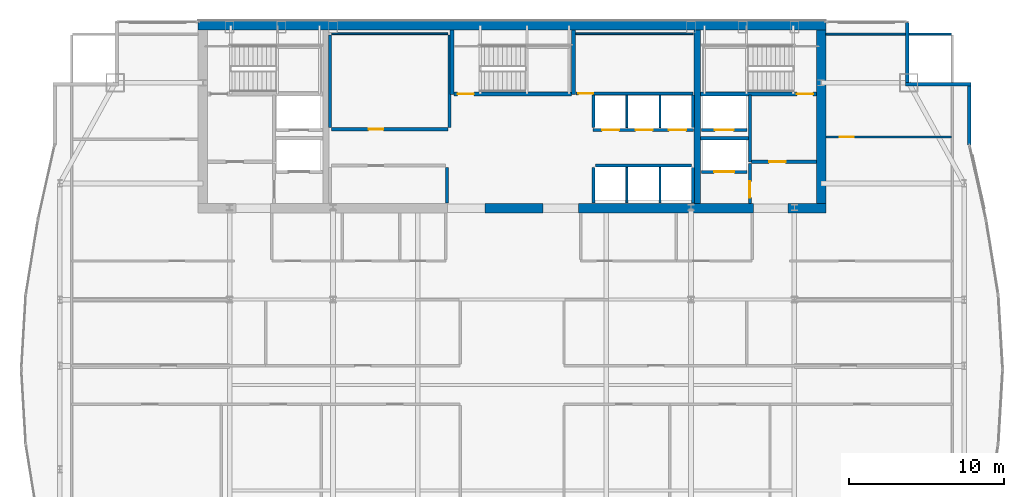
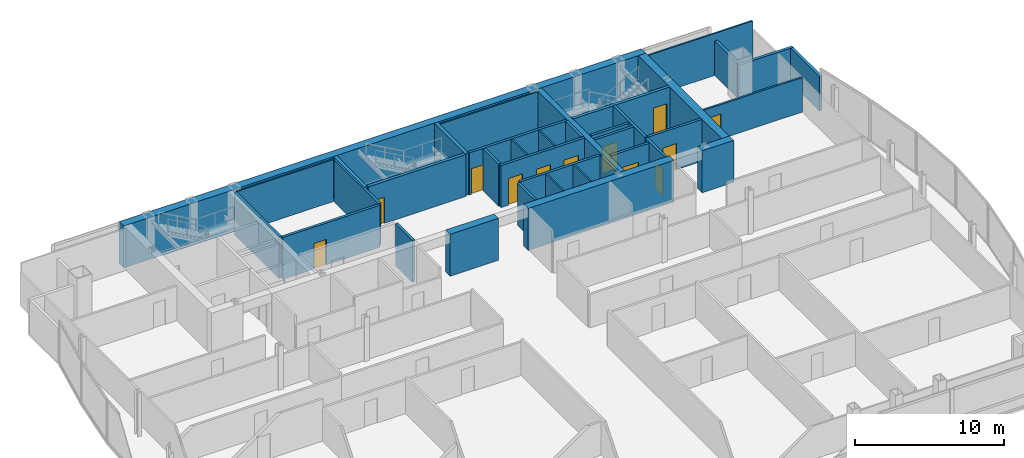
# One storey, part 27 of 30: 38 walls, 12 doors, 12 openings.
"""IFC4 building model written with IfcOpenShell, lengths in metres."""

from ifc_helpers import new_model, si_unit, direction, frame, frame_2d, origin, place, context, subcontext, project, spatial, rectangle, extrude, material, layer, layer_set, type_object, element, fill, save


model = new_model("IFC4")

# Units and contexts
model_context = context("Model", 3, precision=1e-05, world=origin(), true_north=direction((0.0, 1.0)))
body_context = subcontext(model_context, "Body", "Model", "MODEL_VIEW")
ifc_project = project(units=[si_unit("LENGTHUNIT", "METRE"), si_unit("AREAUNIT", "SQUARE_METRE"), si_unit("VOLUMEUNIT", "CUBIC_METRE"), si_unit("PLANEANGLEUNIT", "RADIAN"), si_unit("MASSUNIT", "GRAM", prefix="KILO")], contexts=[model_context])

# Site, building, storey
site_placement = place(None, origin())
site = spatial("IfcSite", under=ifc_project, at=site_placement, CompositionType="ELEMENT")
building_placement = place(site_placement, origin())
building = spatial("IfcBuilding", under=site, at=building_placement, Name="Khoronbel Lancet Exchange", CompositionType="ELEMENT")
storey_placement = place(building_placement, frame((0.0, 0.0, 213.800048828125)))
storey = spatial("IfcBuildingStorey", under=building, at=storey_placement, Name="L54", CompositionType="ELEMENT", Elevation=213.800048828125)

# Walls
ifc_material_1 = material(Name="Concrete C60/75", Category="concrete")
ifc_layer_1 = layer(ifc_material_1, 0.60009765625, Name="Concrete C60/75")
ifc_layer_set_1 = layer_set([ifc_layer_1], Name="Concrete C60/75")
wall_type_1 = type_object("IfcWallType", Name="WL-CW3", PredefinedType="SHEAR", material=ifc_layer_set_1)
wall_1_placement = place(storey_placement, frame((16.199951171875, 53.39990234375, 0.0), z_axis=(0.0, 0.0, 1.0), x_axis=(1.0, 0.0, 0.0)))
element("IfcWall", 1, at=wall_1_placement, inside=storey, type_object=wall_type_1, Name="Level L54 rear core north shear wall", PredefinedType="SHEAR", context=body_context, shape_type="SweptSolid", body=[
    extrude(rectangle(XDim=40.5, YDim=0.60009765625, at=frame_2d((20.25, 0.0))), origin(), (0.0, 0.0, 1.0), 3.43994140625),
])
wall_2_placement = place(storey_placement, frame((56.39990234375, 53.10009765625, 0.0), z_axis=(0.0, 0.0, 1.0), x_axis=(0.0, -1.0, 0.0)))
element("IfcWall", 2, at=wall_2_placement, inside=storey, type_object=wall_type_1, Name="Level L54 rear core east shear wall", PredefinedType="SHEAR", context=body_context, shape_type="SweptSolid", body=[
    extrude(rectangle(XDim=11.2001953125, YDim=0.60009765625, at=frame_2d((5.60009765625, 0.0))), origin(), (0.0, 0.0, 1.0), 3.43994140625),
])
wall_3_placement = place(storey_placement, frame((38.449951171875, 41.60009765625, 0.0), z_axis=(0.0, 0.0, 1.0), x_axis=(-1.0, 0.0, 0.0)))
element("IfcWall", 3, at=wall_3_placement, inside=storey, type_object=wall_type_1, Name="Level L54 rear core south shear wall pier P3", PredefinedType="SHEAR", context=body_context, shape_type="SweptSolid", body=[
    extrude(rectangle(XDim=3.75, YDim=0.60009765625, at=frame_2d((1.875, 0.0))), origin(), (0.0, 0.0, 1.0), 3.43994140625),
])
wall_4_placement = place(storey_placement, frame((52.050048828125, 41.60009765625, 0.0), z_axis=(0.0, 0.0, 1.0), x_axis=(-1.0, 0.0, 0.0)))
element("IfcWall", 4, at=wall_4_placement, inside=storey, type_object=wall_type_1, Name="Level L54 rear core south shear wall pier P4", PredefinedType="SHEAR", context=body_context, shape_type="SweptSolid", body=[
    extrude(rectangle(XDim=11.300048828125, YDim=0.60009765625, at=frame_2d((5.64990234375, 0.0))), origin(), (0.0, 0.0, 1.0), 3.43994140625),
])
wall_5_placement = place(storey_placement, frame((56.699951171875, 41.60009765625, 0.0), z_axis=(0.0, 0.0, 1.0), x_axis=(-1.0, 0.0, 0.0)))
element("IfcWall", 5, at=wall_5_placement, inside=storey, type_object=wall_type_1, Name="Level L54 rear core south shear wall pier P5", PredefinedType="SHEAR", context=body_context, shape_type="SweptSolid", body=[
    extrude(rectangle(XDim=2.449951171875, YDim=0.60009765625, at=frame_2d((1.22509765625, 0.0))), origin(), (0.0, 0.0, 1.0), 3.43994140625),
])
ifc_material_2 = material(Name="Precast concrete C40/50", Category="concrete")
ifc_layer_2 = layer(ifc_material_2, 0.25, Name="Precast concrete C40/50")
ifc_layer_set_2 = layer_set([ifc_layer_2], Name="Precast concrete C40/50")
wall_type_2 = type_object("IfcWallType", Name="WL-EXT250", PredefinedType="SOLIDWALL", material=ifc_layer_set_2)
wall_6_placement = place(storey_placement, frame((61.9599609375, 53.6298828125, 0.0), z_axis=(0.0, 0.0, 1.0), x_axis=(0.0, -1.0, 0.0)))
element("IfcWall", 6, at=wall_6_placement, inside=storey, type_object=wall_type_2, Name="Level L54 notched-corner limestone pier 14", PredefinedType="SOLIDWALL", context=body_context, shape_type="SweptSolid", body=[
    extrude(rectangle(XDim=3.909912109375, YDim=0.219970703125, at=frame_2d((1.955078125, 0.0))), origin(), (0.0, 0.0, 1.0), 2.829833984375),
])
wall_7_placement = place(storey_placement, frame((61.85009765625, 49.610107421875, 0.0), z_axis=(0.0, 0.0, 1.0), x_axis=(1.0, 0.0, 0.0)))
element("IfcWall", 7, at=wall_7_placement, inside=storey, type_object=wall_type_2, Name="Level L54 notched-corner limestone pier 15", PredefinedType="SOLIDWALL", context=body_context, shape_type="SweptSolid", body=[
    extrude(rectangle(XDim=4.219970703125, YDim=0.219970703125, at=frame_2d((2.10986328125, 0.0))), origin(), (0.0, 0.0, 1.0), 2.829833984375),
])
wall_8_placement = place(storey_placement, frame((65.9599609375, 49.5, 0.0), z_axis=(0.0, 0.0, 1.0), x_axis=(0.0, -1.0, 0.0)))
element("IfcWall", 8, at=wall_8_placement, inside=storey, type_object=wall_type_2, Name="Level L54 notched-corner limestone pier 16", PredefinedType="SOLIDWALL", context=body_context, shape_type="SweptSolid", body=[
    extrude(rectangle(XDim=3.829833984375, YDim=0.219970703125, at=frame_2d((1.9150390625, 0.0))), origin(), (0.0, 0.0, 1.0), 2.829833984375),
])

# Wall, opening, door
ifc_material_3 = material(Name="Acoustic Metal-Stud & Mineral-Wool Gypsum Partition 120 mm", Category="gypsum")
ifc_layer_3 = layer(ifc_material_3, 0.1201171875, Name="Acoustic Metal-Stud & Mineral-Wool Gypsum Partition 120 mm")
ifc_layer_set_3 = layer_set([ifc_layer_3], Name="Acoustic Metal-Stud & Mineral-Wool Gypsum Partition 120 mm")
wall_type_3 = type_object("IfcWallType", Name="WL-PRT120", PredefinedType="PARTITIONING", material=ifc_layer_set_3)
wall_9_placement = place(storey_placement, frame((56.699951171875, 46.199951171875, 0.0), z_axis=(0.0, 0.0, 1.0), x_axis=(1.0, 0.0, 0.0)))
wall_9 = element("IfcWall", 9, at=wall_9_placement, inside=storey, type_object=wall_type_3, Name="Level L54 interior partition PW-NE-H", PredefinedType="PARTITIONING", context=body_context, shape_type="SweptSolid", body=[
    extrude(rectangle(XDim=8.10498046875, YDim=0.14990234375, at=frame_2d((4.052490234375, 0.0))), origin(), (0.0, 0.0, 1.0), 2.829833984375),
])
opening_1_placement = place(wall_9_placement, frame((0.89990234375, 0.0, 0.0)))
opening_1 = element("IfcOpeningElement", 10, at=opening_1_placement, cuts=wall_9, Name="Opening D5", PredefinedType="OPENING", context=body_context, shape_type="SweptSolid", body=[
    extrude(rectangle(XDim=0.89990234375, YDim=2.050048828125, at=frame_2d((0.449951171875, 1.02490234375))), frame((0.0, 0.0849609375, 0.0), z_axis=(0.0, -1.0, 0.0), x_axis=(1.0, 0.0, 0.0)), (0.0, 0.0, 1.0), 0.169921875),
])
ifc_material_4 = material(Name="Acoustic Timber Pantry & Support Door", Category="wood")
door_type_1 = type_object("IfcDoorType", Name="DR-D5", OperationType="NOTDEFINED", PredefinedType="DOOR", material=ifc_material_4)
door_1_placement = place(opening_1_placement, origin())
door_1 = element("IfcDoor", 11, at=door_1_placement, inside=storey, type_object=door_type_1, Name="NE north room door L54-1", OperationType="SINGLE_SWING_RIGHT", OverallHeight=2.050048828125, OverallWidth=0.89990234375, PredefinedType="DOOR", context=body_context, shape_type="SweptSolid", body=[
    extrude(rectangle(XDim=0.89990234375, YDim=2.050048828125, at=frame_2d((0.449951171875, 1.02490234375))), frame((0.0, 0.02490234375, 0.0), z_axis=(0.0, -1.0, 0.0), x_axis=(1.0, 0.0, 0.0)), (0.0, 0.0, 1.0), 0.050048828125),
])
fill(opening_1, door_1)

# Walls
wall_10_placement = place(storey_placement, frame((56.699951171875, 52.840087890625, 0.0), z_axis=(0.0, 0.0, 1.0), x_axis=(1.0, 0.0, 0.0)))
element("IfcWall", 12, at=wall_10_placement, inside=storey, type_object=wall_type_3, Name="Level L54 interior partition PW-LIN-NE", PredefinedType="PARTITIONING", context=body_context, shape_type="SweptSolid", body=[
    extrude(rectangle(XDim=8.10498046875, YDim=0.1201171875, at=frame_2d((4.052490234375, 0.0))), origin(), (0.0, 0.0, 1.0), 3.43994140625),
])
ifc_material_5 = material(Name="Fire-Rated Metal-Stud & Mineral-Wool Gypsum Partition 120 mm", Category="gypsum")
ifc_layer_4 = layer(ifc_material_5, 0.1201171875, Name="Fire-Rated Metal-Stud & Mineral-Wool Gypsum Partition 120 mm")
ifc_layer_set_4 = layer_set([ifc_layer_4], Name="Fire-Rated Metal-Stud & Mineral-Wool Gypsum Partition 120 mm")
wall_type_4 = type_object("IfcWallType", Name="WL-PRT120F", PredefinedType="PARTITIONING", material=ifc_layer_set_4)
wall_11_placement = place(storey_placement, frame((24.804931640625, 52.860107421875, 0.0), z_axis=(0.0, 0.0, 1.0), x_axis=(1.0, 0.0, 0.0)))
element("IfcWall", 13, at=wall_11_placement, inside=storey, type_object=wall_type_4, Name="Level L54 interior partition CW-PL-RN", PredefinedType="PARTITIONING", context=body_context, shape_type="SweptSolid", body=[
    extrude(rectangle(XDim=7.510009765625, YDim=0.1201171875, at=frame_2d((3.7548828125, 0.0))), origin(), (0.0, 0.0, 1.0), 3.43994140625),
])
for number, where, z_axis, x_axis, name in (
    (14, (43.860107421875, 46.800048828125, 0.0), (0.0, 0.0, 1.0), (0.0, 1.0, 0.0), "Level L54 interior partition CW-PH-D1"),
    (15, (46.0, 46.800048828125, 0.0), (0.0, 0.0, 1.0), (0.0, 1.0, 0.0), "Level L54 interior partition CW-PH-D2"),
):
    element("IfcWall", number, at=place(storey_placement, frame(where, z_axis=z_axis, x_axis=x_axis)), inside=storey, type_object=wall_type_4, Name=name, PredefinedType="PARTITIONING", context=body_context, shape_type="SweptSolid", body=[
        extrude(rectangle(XDim=2.094970703125, YDim=0.1201171875, at=frame_2d((1.04736328125, 0.0))), origin(), (0.0, 0.0, 1.0), 3.43994140625),
    ])
for number, where, z_axis, x_axis, name in (
    (16, (43.860107421875, 41.949951171875, 0.0), (0.0, 0.0, 1.0), (0.0, 1.0, 0.0), "Level L54 interior partition CW-PX-D1"),
    (17, (46.0, 41.949951171875, 0.0), (0.0, 0.0, 1.0), (0.0, 1.0, 0.0), "Level L54 interior partition CW-PX-D2"),
):
    element("IfcWall", number, at=place(storey_placement, frame(where, z_axis=z_axis, x_axis=x_axis)), inside=storey, type_object=wall_type_4, Name=name, PredefinedType="PARTITIONING", context=body_context, shape_type="SweptSolid", body=[
        extrude(rectangle(XDim=2.295166015625, YDim=0.1201171875, at=frame_2d((1.1474609375, 0.0))), origin(), (0.0, 0.0, 1.0), 3.43994140625),
    ])
wall_12_placement = place(storey_placement, frame((40.580078125, 52.860107421875, 0.0), z_axis=(0.0, 0.0, 1.0), x_axis=(1.0, 0.0, 0.0)))
element("IfcWall", 18, at=wall_12_placement, inside=storey, type_object=wall_type_4, Name="Level L54 interior partition CW-SUP-NE-N", PredefinedType="PARTITIONING", context=body_context, shape_type="SweptSolid", body=[
    extrude(rectangle(XDim=7.559814453125, YDim=0.1201171875, at=frame_2d((3.77978515625, 0.0))), origin(), (0.0, 0.0, 1.0), 3.43994140625),
])

# Wall, opening, door
ifc_material_6 = material(Name="Autoclaved Aerated Concrete Blockwork 200 mm", Category="masonry")
ifc_layer_5 = layer(ifc_material_6, 0.199951171875, Name="Autoclaved Aerated Concrete Blockwork 200 mm")
ifc_layer_set_5 = layer_set([ifc_layer_5], Name="Autoclaved Aerated Concrete Blockwork 200 mm")
wall_type_5 = type_object("IfcWallType", Name="WL-PRT200", PredefinedType="PARTITIONING", material=ifc_layer_set_5)
wall_13_placement = place(storey_placement, frame((51.610107421875, 43.949951171875, 0.0), z_axis=(0.0, 0.0, 1.0), x_axis=(-1.0, 0.0, 0.0)))
wall_13 = element("IfcWall", 19, at=wall_13_placement, inside=storey, type_object=wall_type_5, Name="Level L54 elevator hoistway landing front wall SVLE", PredefinedType="PARTITIONING", context=body_context, shape_type="SweptSolid", body=[
    extrude(rectangle(XDim=2.920166015625, YDim=0.199951171875, at=frame_2d((1.4599609375, 0.0))), origin(), (0.0, 0.0, 1.0), 3.43994140625),
])
opening_2_placement = place(wall_13_placement, frame((0.81005859375, 0.0, 0.0)))
opening_2 = element("IfcOpeningElement", 20, at=opening_2_placement, cuts=wall_13, Name="Opening LD-SVL2", PredefinedType="OPENING", context=body_context, shape_type="SweptSolid", body=[
    extrude(rectangle(XDim=1.300048828125, YDim=2.179931640625, at=frame_2d((0.64990234375, 1.08984375))), frame((0.0, 0.10986328125, 0.0), z_axis=(0.0, -1.0, 0.0), x_axis=(1.0, 0.0, 0.0)), (0.0, 0.0, 1.0), 0.219970703125),
])
ifc_material_7 = material(Name="Heavy-Duty Bi-Parting Goods Lift Landing Door", Category="steel")
door_type_2 = type_object("IfcDoorType", Name="DR-LD-SVL", OperationType="NOTDEFINED", PredefinedType="DOOR", material=ifc_material_7)
door_2_placement = place(opening_2_placement, origin())
door_2 = element("IfcDoor", 21, at=door_2_placement, inside=storey, type_object=door_type_2, Name="Elevator landing sliding door LD-SVL2 L54", OperationType="SLIDING_TO_LEFT", OverallHeight=2.179931640625, OverallWidth=1.300048828125, PredefinedType="DOOR", context=body_context, shape_type="SweptSolid", body=[
    extrude(rectangle(XDim=1.300048828125, YDim=2.179931640625, at=frame_2d((0.64990234375, 1.08984375))), frame((0.0, 0.02490234375, 0.0), z_axis=(0.0, -1.0, 0.0), x_axis=(1.0, 0.0, 0.0)), (0.0, 0.0, 1.0), 0.050048828125),
])
fill(opening_2, door_2)

wall_14_placement = place(storey_placement, frame((51.610107421875, 46.64990234375, 0.0), z_axis=(0.0, 0.0, 1.0), x_axis=(-1.0, 0.0, 0.0)))
wall_14 = element("IfcWall", 22, at=wall_14_placement, inside=storey, type_object=wall_type_5, Name="Level L54 elevator hoistway landing front wall FFLE", PredefinedType="PARTITIONING", context=body_context, shape_type="SweptSolid", body=[
    extrude(rectangle(XDim=2.920166015625, YDim=0.199951171875, at=frame_2d((1.4599609375, 0.0))), origin(), (0.0, 0.0, 1.0), 3.43994140625),
])
opening_3_placement = place(wall_14_placement, frame((0.860107421875, 0.0, 0.0)))
opening_3 = element("IfcOpeningElement", 23, at=opening_3_placement, cuts=wall_14, Name="Opening LD-FFL2", PredefinedType="OPENING", context=body_context, shape_type="SweptSolid", body=[
    extrude(rectangle(XDim=1.199951171875, YDim=2.179931640625, at=frame_2d((0.60009765625, 1.08984375))), frame((0.0, 0.10986328125, 0.0), z_axis=(0.0, -1.0, 0.0), x_axis=(1.0, 0.0, 0.0)), (0.0, 0.0, 1.0), 0.219970703125),
])
ifc_material_8 = material(Name="Fire-Rated Stainless Bi-Parting Firefighting Lift Door", Category="steel")
door_type_3 = type_object("IfcDoorType", Name="DR-LD-FFL", OperationType="NOTDEFINED", PredefinedType="DOOR", material=ifc_material_8)
door_3_placement = place(opening_3_placement, origin())
door_3 = element("IfcDoor", 24, at=door_3_placement, inside=storey, type_object=door_type_3, Name="Elevator landing sliding door LD-FFL2 L54", OperationType="SLIDING_TO_LEFT", OverallHeight=2.179931640625, OverallWidth=1.199951171875, PredefinedType="DOOR", context=body_context, shape_type="SweptSolid", body=[
    extrude(rectangle(XDim=1.199951171875, YDim=2.179931640625, at=frame_2d((0.60009765625, 1.08984375))), frame((0.0, 0.02490234375, 0.0), z_axis=(0.0, -1.0, 0.0), x_axis=(1.0, 0.0, 0.0)), (0.0, 0.0, 1.0), 0.050048828125),
])
fill(opening_3, door_3)

# Wall, openings, doors
wall_15_placement = place(storey_placement, frame((48.159912109375, 46.64990234375, 0.0), z_axis=(0.0, 0.0, 1.0), x_axis=(-1.0, 0.0, 0.0)))
wall_15 = element("IfcWall", 25, at=wall_15_placement, inside=storey, type_object=wall_type_5, Name="Level L54 elevator hoistway landing front wall PHE", PredefinedType="PARTITIONING", context=body_context, shape_type="SweptSolid", body=[
    extrude(rectangle(XDim=6.47998046875, YDim=0.199951171875, at=frame_2d((3.239990234375, 0.0))), origin(), (0.0, 0.0, 1.0), 3.43994140625),
])
opening_4_placement = place(wall_15_placement, frame((4.800048828125, 0.0, 0.0)))
opening_4 = element("IfcOpeningElement", 26, at=opening_4_placement, cuts=wall_15, Name="Opening LD-PH1", PredefinedType="OPENING", context=body_context, shape_type="SweptSolid", body=[
    extrude(rectangle(XDim=1.10009765625, YDim=2.179931640625, at=frame_2d((0.550048828125, 1.08984375))), frame((0.0, 0.10986328125, 0.0), z_axis=(0.0, -1.0, 0.0), x_axis=(1.0, 0.0, 0.0)), (0.0, 0.0, 1.0), 0.219970703125),
])
opening_5_placement = place(wall_15_placement, frame((2.639892578125, 0.0, 0.0)))
opening_5 = element("IfcOpeningElement", 27, at=opening_5_placement, cuts=wall_15, Name="Opening LD-PH2", PredefinedType="OPENING", context=body_context, shape_type="SweptSolid", body=[
    extrude(rectangle(XDim=1.10009765625, YDim=2.179931640625, at=frame_2d((0.550048828125, 1.08984375))), frame((0.0, 0.10986328125, 0.0), z_axis=(0.0, -1.0, 0.0), x_axis=(1.0, 0.0, 0.0)), (0.0, 0.0, 1.0), 0.219970703125),
])
opening_6_placement = place(wall_15_placement, frame((0.47998046875, 0.0, 0.0)))
opening_6 = element("IfcOpeningElement", 28, at=opening_6_placement, cuts=wall_15, Name="Opening LD-PH3", PredefinedType="OPENING", context=body_context, shape_type="SweptSolid", body=[
    extrude(rectangle(XDim=1.10009765625, YDim=2.179931640625, at=frame_2d((0.550048828125, 1.08984375))), frame((0.0, 0.10986328125, 0.0), z_axis=(0.0, -1.0, 0.0), x_axis=(1.0, 0.0, 0.0)), (0.0, 0.0, 1.0), 0.219970703125),
])
ifc_material_9 = material(Name="Brushed Bronze Bi-Parting Elevator Landing Door", Category="steel")
door_type_4 = type_object("IfcDoorType", Name="DR-LD-PAX", OperationType="NOTDEFINED", PredefinedType="DOOR", material=ifc_material_9)
door_4_placement = place(opening_4_placement, origin())
door_4 = element("IfcDoor", 29, at=door_4_placement, inside=storey, type_object=door_type_4, Name="Elevator landing sliding door LD-PH1 L54", OperationType="SLIDING_TO_LEFT", OverallHeight=2.179931640625, OverallWidth=1.10009765625, PredefinedType="DOOR", context=body_context, shape_type="SweptSolid", body=[
    extrude(rectangle(XDim=1.10009765625, YDim=2.179931640625, at=frame_2d((0.550048828125, 1.08984375))), frame((0.0, 0.02490234375, 0.0), z_axis=(0.0, -1.0, 0.0), x_axis=(1.0, 0.0, 0.0)), (0.0, 0.0, 1.0), 0.050048828125),
])
fill(opening_4, door_4)
door_5_placement = place(opening_5_placement, origin())
door_5 = element("IfcDoor", 30, at=door_5_placement, inside=storey, type_object=door_type_4, Name="Elevator landing sliding door LD-PH2 L54", OperationType="SLIDING_TO_LEFT", OverallHeight=2.179931640625, OverallWidth=1.10009765625, PredefinedType="DOOR", context=body_context, shape_type="SweptSolid", body=[
    extrude(rectangle(XDim=1.10009765625, YDim=2.179931640625, at=frame_2d((0.550048828125, 1.08984375))), frame((0.0, 0.02490234375, 0.0), z_axis=(0.0, -1.0, 0.0), x_axis=(1.0, 0.0, 0.0)), (0.0, 0.0, 1.0), 0.050048828125),
])
fill(opening_5, door_5)
door_6_placement = place(opening_6_placement, origin())
door_6 = element("IfcDoor", 31, at=door_6_placement, inside=storey, type_object=door_type_4, Name="Elevator landing sliding door LD-PH3 L54", OperationType="SLIDING_TO_LEFT", OverallHeight=2.179931640625, OverallWidth=1.10009765625, PredefinedType="DOOR", context=body_context, shape_type="SweptSolid", body=[
    extrude(rectangle(XDim=1.10009765625, YDim=2.179931640625, at=frame_2d((0.550048828125, 1.08984375))), frame((0.0, 0.02490234375, 0.0), z_axis=(0.0, -1.0, 0.0), x_axis=(1.0, 0.0, 0.0)), (0.0, 0.0, 1.0), 0.050048828125),
])
fill(opening_6, door_6)

# Wall
wall_16_placement = place(storey_placement, frame((51.800048828125, 44.60009765625, 0.0), z_axis=(0.0, 0.0, 1.0), x_axis=(0.0, 1.0, 0.0)))
element("IfcWall", 32, at=wall_16_placement, inside=storey, type_object=wall_type_5, Name="Level L54 interior partition CW-FFLE-W", PredefinedType="PARTITIONING", context=body_context, shape_type="SweptSolid", body=[
    extrude(rectangle(XDim=4.2998046875, YDim=0.199951171875, at=frame_2d((2.14990234375, 0.0))), origin(), (0.0, 0.0, 1.0), 3.43994140625),
])

# Wall, opening, door
wall_17_placement = place(storey_placement, frame((51.89990234375, 44.60009765625, 0.0), z_axis=(0.0, 0.0, 1.0), x_axis=(1.0, 0.0, 0.0)))
wall_17 = element("IfcWall", 33, at=wall_17_placement, inside=storey, type_object=wall_type_5, Name="Level L54 interior partition CW-FFLE-S", PredefinedType="PARTITIONING", context=body_context, shape_type="SweptSolid", body=[
    extrude(rectangle(XDim=4.2001953125, YDim=0.199951171875, at=frame_2d((2.10009765625, 0.0))), origin(), (0.0, 0.0, 1.0), 3.43994140625),
])
opening_7_placement = place(wall_17_placement, frame((1.14990234375, 0.0, 0.0)))
opening_7 = element("IfcOpeningElement", 34, at=opening_7_placement, cuts=wall_17, Name="Opening FD1", PredefinedType="OPENING", context=body_context, shape_type="SweptSolid", body=[
    extrude(rectangle(XDim=1.050048828125, YDim=2.14990234375, at=frame_2d((0.52490234375, 1.074951171875))), frame((0.0, 0.10986328125, 0.0), z_axis=(0.0, -1.0, 0.0), x_axis=(1.0, 0.0, 0.0)), (0.0, 0.0, 1.0), 0.219970703125),
])
ifc_material_10 = material(Name="Fire-Rated Painted Steel Door Assembly", Category="steel")
door_type_5 = type_object("IfcDoorType", Name="DR-FD1", OperationType="NOTDEFINED", PredefinedType="DOOR", material=ifc_material_10)
door_7_placement = place(opening_7_placement, origin())
door_7 = element("IfcDoor", 35, at=door_7_placement, inside=storey, type_object=door_type_5, Name="East firefighting lobby FD90S door L54-1", OperationType="SINGLE_SWING_LEFT", OverallHeight=2.14990234375, OverallWidth=1.050048828125, PredefinedType="DOOR", context=body_context, shape_type="SweptSolid", body=[
    extrude(rectangle(XDim=1.050048828125, YDim=2.14990234375, at=frame_2d((0.52490234375, 1.074951171875))), frame((0.0, 0.02490234375, 0.0), z_axis=(0.0, -1.0, 0.0), x_axis=(1.0, 0.0, 0.0)), (0.0, 0.0, 1.0), 0.050048828125),
])
fill(opening_7, door_7)

# Wall
wall_18_placement = place(storey_placement, frame((48.6298828125, 46.1201171875, 0.0), z_axis=(0.0, 0.0, 1.0), x_axis=(1.0, 0.0, 0.0)))
element("IfcWall", 36, at=wall_18_placement, inside=storey, type_object=wall_type_5, Name="Level L54 interior partition CW-FFL2-S", PredefinedType="PARTITIONING", context=body_context, shape_type="SweptSolid", body=[
    extrude(rectangle(XDim=3.070068359375, YDim=0.199951171875, at=frame_2d((1.53515625, 0.0))), origin(), (0.0, 0.0, 1.0), 3.43994140625),
])

# Wall, opening, door
wall_19_placement = place(storey_placement, frame((51.800048828125, 41.89990234375, 0.0), z_axis=(0.0, 0.0, 1.0), x_axis=(0.0, 1.0, 0.0)))
wall_19 = element("IfcWall", 37, at=wall_19_placement, inside=storey, type_object=wall_type_5, Name="Level L54 interior partition CW-SVLE-E", PredefinedType="PARTITIONING", context=body_context, shape_type="SweptSolid", body=[
    extrude(rectangle(XDim=2.59521484375, YDim=0.199951171875, at=frame_2d((1.297607421875, 0.0))), origin(), (0.0, 0.0, 1.0), 3.43994140625),
])
opening_8_placement = place(wall_19_placement, frame((0.3798828125, 0.0, 0.0)))
opening_8 = element("IfcOpeningElement", 38, at=opening_8_placement, cuts=wall_19, Name="Opening FD1", PredefinedType="OPENING", context=body_context, shape_type="SweptSolid", body=[
    extrude(rectangle(XDim=1.050048828125, YDim=2.14990234375, at=frame_2d((0.52490234375, 1.074951171875))), frame((0.0, 0.10986328125, 0.0), z_axis=(0.0, -1.0, 0.0), x_axis=(1.0, 0.0, 0.0)), (0.0, 0.0, 1.0), 0.219970703125),
])
door_8_placement = place(opening_8_placement, origin())
door_8 = element("IfcDoor", 39, at=door_8_placement, inside=storey, type_object=door_type_5, Name="East service lift lobby door L54-1", OperationType="SINGLE_SWING_RIGHT", OverallHeight=2.14990234375, OverallWidth=1.050048828125, PredefinedType="DOOR", context=body_context, shape_type="SweptSolid", body=[
    extrude(rectangle(XDim=1.050048828125, YDim=2.14990234375, at=frame_2d((0.52490234375, 1.074951171875))), frame((0.0, 0.02490234375, 0.0), z_axis=(0.0, -1.0, 0.0), x_axis=(1.0, 0.0, 0.0)), (0.0, 0.0, 1.0), 0.050048828125),
])
fill(opening_8, door_8)

# Walls
for number, where, z_axis, x_axis, name in (
    (40, (24.699951171875, 46.804931640625, 0.0), (0.0, 0.0, 1.0), (0.0, 1.0, 0.0), "Level L54 interior partition CW-PL-RW"),
    (41, (32.419921875, 46.804931640625, 0.0), (0.0, 0.0, 1.0), (0.0, 1.0, 0.0), "Level L54 interior partition CW-PL-RE"),
):
    element("IfcWall", number, at=place(storey_placement, frame(where, z_axis=z_axis, x_axis=x_axis)), inside=storey, type_object=wall_type_5, Name=name, PredefinedType="PARTITIONING", context=body_context, shape_type="SweptSolid", body=[
        extrude(rectangle(XDim=5.989990234375, YDim=0.199951171875, at=frame_2d((2.9951171875, 0.0))), origin(), (0.0, 0.0, 1.0), 3.43994140625),
    ])

# Wall, opening, door
wall_20_placement = place(storey_placement, frame((24.804931640625, 46.699951171875, 0.0), z_axis=(0.0, 0.0, 1.0), x_axis=(1.0, 0.0, 0.0)))
wall_20 = element("IfcWall", 42, at=wall_20_placement, inside=storey, type_object=wall_type_5, Name="Level L54 interior partition CW-PL-RF", PredefinedType="PARTITIONING", context=body_context, shape_type="SweptSolid", body=[
    extrude(rectangle(XDim=7.510009765625, YDim=0.199951171875, at=frame_2d((3.7548828125, 0.0))), origin(), (0.0, 0.0, 1.0), 3.43994140625),
])
opening_9_placement = place(wall_20_placement, frame((2.39990234375, 0.0, 0.0)))
opening_9 = element("IfcOpeningElement", 43, at=opening_9_placement, cuts=wall_20, Name="Opening FD3", PredefinedType="OPENING", context=body_context, shape_type="SweptSolid", body=[
    extrude(rectangle(XDim=0.949951171875, YDim=2.10009765625, at=frame_2d((0.47509765625, 1.050048828125))), frame((0.0, 0.10986328125, 0.0), z_axis=(0.0, -1.0, 0.0), x_axis=(1.0, 0.0, 0.0)), (0.0, 0.0, 1.0), 0.219970703125),
])
ifc_material_11 = material(Name="Fire-Rated Steel Plant & Riser Door Assembly", Category="steel")
door_type_6 = type_object("IfcDoorType", Name="DR-FD3", OperationType="NOTDEFINED", PredefinedType="DOOR", material=ifc_material_11)
door_9_placement = place(opening_9_placement, origin())
door_9 = element("IfcDoor", 44, at=door_9_placement, inside=storey, type_object=door_type_6, Name="Reclaimed PL room door L54-1", OperationType="SINGLE_SWING_LEFT", OverallHeight=2.10009765625, OverallWidth=0.949951171875, PredefinedType="DOOR", context=body_context, shape_type="SweptSolid", body=[
    extrude(rectangle(XDim=0.949951171875, YDim=2.10009765625, at=frame_2d((0.47509765625, 1.050048828125))), frame((0.0, 0.02490234375, 0.0), z_axis=(0.0, -1.0, 0.0), x_axis=(1.0, 0.0, 0.0)), (0.0, 0.0, 1.0), 0.050048828125),
])
fill(opening_9, door_9)

# Walls
wall_21_placement = place(storey_placement, frame((32.25, 41.949951171875, 0.0), z_axis=(0.0, 0.0, 1.0), x_axis=(0.0, 1.0, 0.0)))
element("IfcWall", 45, at=wall_21_placement, inside=storey, type_object=wall_type_5, Name="Level L54 interior partition CW-PM-RE", PredefinedType="PARTITIONING", context=body_context, shape_type="SweptSolid", body=[
    extrude(rectangle(XDim=2.295166015625, YDim=0.199951171875, at=frame_2d((1.1474609375, 0.0))), origin(), (0.0, 0.0, 1.0), 3.43994140625),
])
for number, where, z_axis, x_axis, name in (
    (46, (41.719970703125, 46.800048828125, 0.0), (0.0, 0.0, 1.0), (0.0, 1.0, 0.0), "Level L54 interior partition CW-PH-W"),
    (47, (48.139892578125, 46.800048828125, 0.0), (0.0, 0.0, 1.0), (0.0, 1.0, 0.0), "Level L54 interior partition CW-PH-E"),
):
    element("IfcWall", number, at=place(storey_placement, frame(where, z_axis=z_axis, x_axis=x_axis)), inside=storey, type_object=wall_type_5, Name=name, PredefinedType="PARTITIONING", context=body_context, shape_type="SweptSolid", body=[
        extrude(rectangle(XDim=2.094970703125, YDim=0.199951171875, at=frame_2d((1.04736328125, 0.0))), origin(), (0.0, 0.0, 1.0), 3.43994140625),
    ])
wall_22_placement = place(storey_placement, frame((41.824951171875, 44.35009765625, 0.0), z_axis=(0.0, 0.0, 1.0), x_axis=(1.0, 0.0, 0.0)))
element("IfcWall", 48, at=wall_22_placement, inside=storey, type_object=wall_type_5, Name="Level L54 interior partition CW-PX-EXP", PredefinedType="PARTITIONING", context=body_context, shape_type="SweptSolid", body=[
    extrude(rectangle(XDim=6.2099609375, YDim=0.199951171875, at=frame_2d((3.10498046875, 0.0))), origin(), (0.0, 0.0, 1.0), 3.43994140625),
])
for number, where, z_axis, x_axis, name in (
    (49, (41.719970703125, 41.949951171875, 0.0), (0.0, 0.0, 1.0), (0.0, 1.0, 0.0), "Level L54 interior partition CW-PX-W"),
    (50, (48.139892578125, 41.949951171875, 0.0), (0.0, 0.0, 1.0), (0.0, 1.0, 0.0), "Level L54 interior partition CW-PX-E"),
):
    element("IfcWall", number, at=place(storey_placement, frame(where, z_axis=z_axis, x_axis=x_axis)), inside=storey, type_object=wall_type_5, Name=name, PredefinedType="PARTITIONING", context=body_context, shape_type="SweptSolid", body=[
        extrude(rectangle(XDim=2.295166015625, YDim=0.199951171875, at=frame_2d((1.1474609375, 0.0))), origin(), (0.0, 0.0, 1.0), 3.43994140625),
    ])

# Wall, opening, door
wall_23_placement = place(storey_placement, frame((40.580078125, 49.0, 0.0), z_axis=(0.0, 0.0, 1.0), x_axis=(1.0, 0.0, 0.0)))
wall_23 = element("IfcWall", 51, at=wall_23_placement, inside=storey, type_object=wall_type_5, Name="Level L54 interior partition CW-SUP-NE-S", PredefinedType="PARTITIONING", context=body_context, shape_type="SweptSolid", body=[
    extrude(rectangle(XDim=7.559814453125, YDim=0.199951171875, at=frame_2d((3.77978515625, 0.0))), origin(), (0.0, 0.0, 1.0), 3.43994140625),
])
opening_10_placement = place(wall_23_placement, frame((0.159912109375, 0.0, 0.0)))
opening_10 = element("IfcOpeningElement", 52, at=opening_10_placement, cuts=wall_23, Name="Opening FD3", PredefinedType="OPENING", context=body_context, shape_type="SweptSolid", body=[
    extrude(rectangle(XDim=0.949951171875, YDim=2.10009765625, at=frame_2d((0.47509765625, 1.050048828125))), frame((0.0, 0.10986328125, 0.0), z_axis=(0.0, -1.0, 0.0), x_axis=(1.0, 0.0, 0.0)), (0.0, 0.0, 1.0), 0.219970703125),
])
door_10_placement = place(opening_10_placement, origin())
door_10 = element("IfcDoor", 53, at=door_10_placement, inside=storey, type_object=door_type_6, Name="Core NE support room door L54-1", OperationType="SINGLE_SWING_LEFT", OverallHeight=2.10009765625, OverallWidth=0.949951171875, PredefinedType="DOOR", context=body_context, shape_type="SweptSolid", body=[
    extrude(rectangle(XDim=0.949951171875, YDim=2.10009765625, at=frame_2d((0.47509765625, 1.050048828125))), frame((0.0, 0.02490234375, 0.0), z_axis=(0.0, -1.0, 0.0), x_axis=(1.0, 0.0, 0.0)), (0.0, 0.0, 1.0), 0.050048828125),
])
fill(opening_10, door_10)

# Walls
ifc_layer_6 = layer(ifc_material_1, 0.39990234375, Name="Concrete C60/75")
ifc_layer_set_6 = layer_set([ifc_layer_6], Name="Concrete C60/75")
wall_type_6 = type_object("IfcWallType", Name="WL-SW2", PredefinedType="SHEAR", material=ifc_layer_set_6)
wall_24_placement = place(storey_placement, frame((48.39990234375, 41.89990234375, 0.0), z_axis=(0.0, 0.0, 1.0), x_axis=(0.0, 1.0, 0.0)))
element("IfcWall", 54, at=wall_24_placement, inside=storey, type_object=wall_type_6, Name="Level L54 rear core internal spine shear wall IE", PredefinedType="SHEAR", context=body_context, shape_type="SweptSolid", body=[
    extrude(rectangle(XDim=11.2001953125, YDim=0.39990234375, at=frame_2d((5.60009765625, 0.0))), origin(), (0.0, 0.0, 1.0), 3.43994140625),
])
ifc_layer_7 = layer(ifc_material_1, 0.260009765625, Name="Concrete C60/75")
ifc_layer_set_7 = layer_set([ifc_layer_7], Name="Concrete C60/75")
wall_type_7 = type_object("IfcWallType", Name="WL-SW3", PredefinedType="SHEAR", material=ifc_layer_set_7)
for number, where, z_axis, x_axis, name in (
    (55, (32.580078125, 48.949951171875, 0.0), (0.0, 0.0, 1.0), (0.0, 1.0, 0.0), "Level L54 central stairwell structural shear wall ST3W"),
    (56, (40.419921875, 48.949951171875, 0.0), (0.0, 0.0, 1.0), (0.0, 1.0, 0.0), "Level L54 central stairwell structural shear wall ST3E"),
):
    element("IfcWall", number, at=place(storey_placement, frame(where, z_axis=z_axis, x_axis=x_axis)), inside=storey, type_object=wall_type_7, Name=name, PredefinedType="SHEAR", context=body_context, shape_type="SweptSolid", body=[
        extrude(rectangle(XDim=4.150146484375, YDim=0.260009765625, at=frame_2d((2.0751953125, 0.0))), origin(), (0.0, 0.0, 1.0), 3.43994140625),
    ])

# Wall, opening, door
wall_25_placement = place(storey_placement, frame((48.6298828125, 48.97998046875, 0.0), z_axis=(0.0, 0.0, 1.0), x_axis=(1.0, 0.0, 0.0)))
wall_25 = element("IfcWall", 57, at=wall_25_placement, inside=storey, type_object=wall_type_7, Name="Level L54 east stairwell structural south wall", PredefinedType="SHEAR", context=body_context, shape_type="SweptSolid", body=[
    extrude(rectangle(XDim=7.47021484375, YDim=0.239990234375, at=frame_2d((3.735107421875, 0.0))), origin(), (0.0, 0.0, 1.0), 3.43994140625),
])
opening_11_placement = place(wall_25_placement, frame((6.199951171875, 0.0, 0.0)))
opening_11 = element("IfcOpeningElement", 58, at=opening_11_placement, cuts=wall_25, Name="Opening SD1", PredefinedType="OPENING", context=body_context, shape_type="SweptSolid", body=[
    extrude(rectangle(XDim=1.050048828125, YDim=2.14990234375, at=frame_2d((0.52490234375, 1.074951171875))), frame((0.0, 0.1298828125, 0.0), z_axis=(0.0, -1.0, 0.0), x_axis=(1.0, 0.0, 0.0)), (0.0, 0.0, 1.0), 0.260009765625),
])
ifc_material_12 = material(Name="Fire-Rated Steel Stairwell Door Assembly", Category="steel")
door_type_7 = type_object("IfcDoorType", Name="DR-SD1", OperationType="NOTDEFINED", PredefinedType="DOOR", material=ifc_material_12)
door_11_placement = place(opening_11_placement, origin())
door_11 = element("IfcDoor", 59, at=door_11_placement, inside=storey, type_object=door_type_7, Name="Protected exit stair ST2 door L54", OperationType="SINGLE_SWING_RIGHT", OverallHeight=2.14990234375, OverallWidth=1.050048828125, PredefinedType="DOOR", context=body_context, shape_type="SweptSolid", body=[
    extrude(rectangle(XDim=1.050048828125, YDim=2.14990234375, at=frame_2d((0.52490234375, 1.074951171875))), frame((0.0, 0.02490234375, 0.0), z_axis=(0.0, -1.0, 0.0), x_axis=(1.0, 0.0, 0.0)), (0.0, 0.0, 1.0), 0.050048828125),
])
fill(opening_11, door_11)

wall_26_placement = place(storey_placement, frame((32.719970703125, 48.97998046875, 0.0), z_axis=(0.0, 0.0, 1.0), x_axis=(1.0, 0.0, 0.0)))
wall_26 = element("IfcWall", 60, at=wall_26_placement, inside=storey, type_object=wall_type_7, Name="Level L54 central stairwell structural south wall", PredefinedType="SHEAR", context=body_context, shape_type="SweptSolid", body=[
    extrude(rectangle(XDim=7.56005859375, YDim=0.239990234375, at=frame_2d((3.780029296875, 0.0))), origin(), (0.0, 0.0, 1.0), 3.43994140625),
])
opening_12_placement = place(wall_26_placement, frame((0.219970703125, 0.0, 0.0)))
opening_12 = element("IfcOpeningElement", 61, at=opening_12_placement, cuts=wall_26, Name="Opening SD1", PredefinedType="OPENING", context=body_context, shape_type="SweptSolid", body=[
    extrude(rectangle(XDim=1.050048828125, YDim=2.14990234375, at=frame_2d((0.52490234375, 1.074951171875))), frame((0.0, 0.1298828125, 0.0), z_axis=(0.0, -1.0, 0.0), x_axis=(1.0, 0.0, 0.0)), (0.0, 0.0, 1.0), 0.260009765625),
])
door_12_placement = place(opening_12_placement, origin())
door_12 = element("IfcDoor", 62, at=door_12_placement, inside=storey, type_object=door_type_7, Name="Protected exit stair ST3 door L54", OperationType="SINGLE_SWING_LEFT", OverallHeight=2.14990234375, OverallWidth=1.050048828125, PredefinedType="DOOR", context=body_context, shape_type="SweptSolid", body=[
    extrude(rectangle(XDim=1.050048828125, YDim=2.14990234375, at=frame_2d((0.52490234375, 1.074951171875))), frame((0.0, 0.02490234375, 0.0), z_axis=(0.0, -1.0, 0.0), x_axis=(1.0, 0.0, 0.0)), (0.0, 0.0, 1.0), 0.050048828125),
])
fill(opening_12, door_12)

save(model, "model.ifc")
